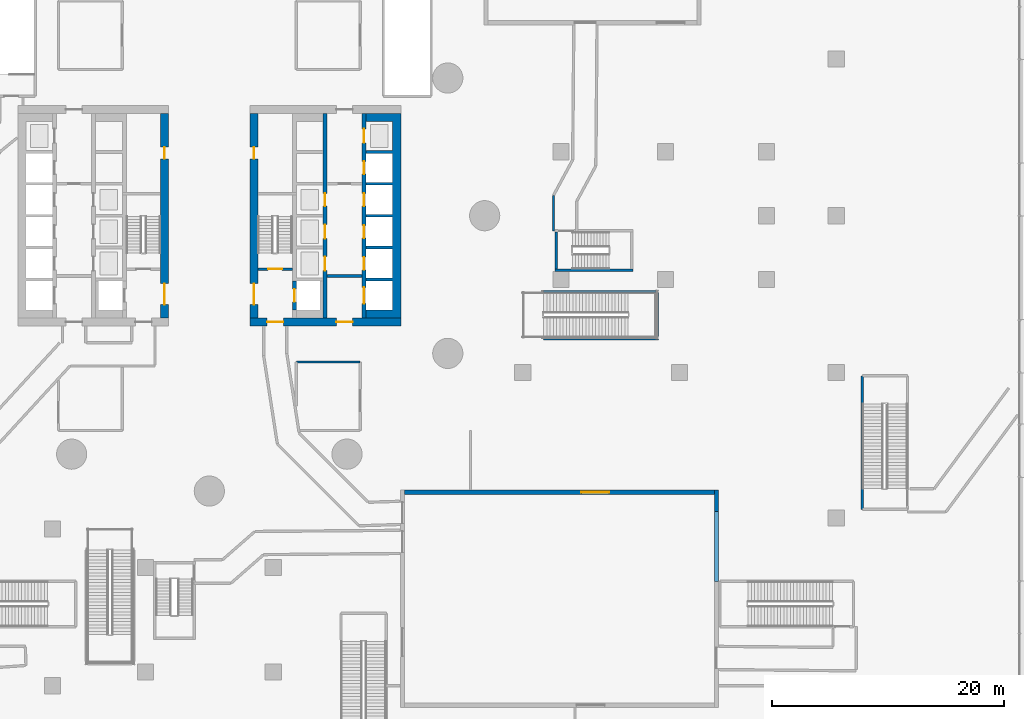
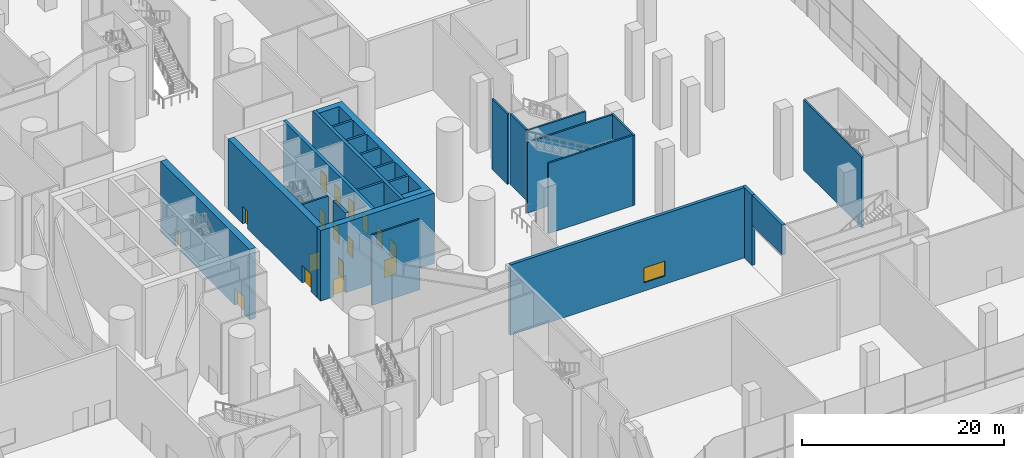
# One storey, part 25 of 54: 20 walls, 17 doors, 1 window, 18 openings.
"""IFC4 building model written with IfcOpenShell, lengths in metres."""

from ifc_helpers import new_model, si_unit, direction, frame, frame_2d, origin, place, context, subcontext, project, spatial, polyline, rectangle, outline, extrude, material, layer, layer_set, type_object, element, fill, save


model = new_model("IFC4")

# Units and contexts
model_context = context("Model", 3, precision=1e-05, world=origin(), true_north=direction((0.0, 1.0)))
body_context = subcontext(model_context, "Body", "Model", "MODEL_VIEW")
ifc_project = project(units=[si_unit("LENGTHUNIT", "METRE"), si_unit("AREAUNIT", "SQUARE_METRE"), si_unit("VOLUMEUNIT", "CUBIC_METRE"), si_unit("PLANEANGLEUNIT", "RADIAN"), si_unit("MASSUNIT", "GRAM", prefix="KILO")], contexts=[model_context])

# Site, building, storey
site_placement = place(None, origin())
site = spatial("IfcSite", under=ifc_project, at=site_placement, CompositionType="ELEMENT")
building_placement = place(site_placement, origin())
building = spatial("IfcBuilding", under=site, at=building_placement, Name="Tamarind Cross Interchange Tower", CompositionType="ELEMENT")
storey_placement = place(building_placement, origin())
storey = spatial("IfcBuildingStorey", under=building, at=storey_placement, Name="L00", CompositionType="ELEMENT", Elevation=0.0)

# Wall, openings, doors
ifc_material_1 = material(Name="Concrete C80", Category="concrete")
ifc_layer_1 = layer(ifc_material_1, 0.699951171875)
ifc_layer_set_1 = layer_set([ifc_layer_1], Name="Concrete C80")
wall_type_1 = type_object("IfcWallType", Name="Core wall 700 mm Concrete C80", PredefinedType="SHEAR", material=ifc_layer_set_1)
wall_1_placement = place(storey_placement, frame((-3.85009765625, -8.800048828125, 0.0), z_axis=(0.0, 0.0, 1.0), x_axis=(0.0, 1.0, 0.0)))
wall_1 = element("IfcWall", 1, at=wall_1_placement, inside=storey, type_object=wall_type_1, Name="Core wall CWL-L00-W-IN", PredefinedType="SHEAR", context=body_context, shape_type="SweptSolid", body=[
    extrude(rectangle(XDim=17.60009765625, YDim=0.699951171875, at=frame_2d((8.800048828125, 0.0))), origin(), (0.0, 0.0, 1.0), 8.5),
])
opening_1_placement = place(wall_1_placement, frame((1.14990234375, 0.0, 0.0)))
opening_1 = element("IfcOpeningElement", 2, at=opening_1_placement, cuts=wall_1, Name="Opening DCW4", PredefinedType="OPENING", context=body_context, shape_type="SweptSolid", body=[
    extrude(rectangle(XDim=1.800048828125, YDim=2.10009765625, at=frame_2d((0.89990234375, 1.050048828125))), frame((0.0, 0.35986328125, 0.0), z_axis=(0.0, -1.0, 0.0), x_axis=(1.0, 0.0, 0.0)), (0.0, 0.0, 1.0), 0.719970703125),
])
opening_2_placement = place(wall_1_placement, frame((13.699951171875, 0.0, 0.0)))
opening_2 = element("IfcOpeningElement", 3, at=opening_2_placement, cuts=wall_1, Name="Opening DCW5", PredefinedType="OPENING", context=body_context, shape_type="SweptSolid", body=[
    extrude(rectangle(XDim=1.0, YDim=2.10009765625, at=frame_2d((0.5, 1.050048828125))), frame((0.0, 0.35986328125, 0.0), z_axis=(0.0, -1.0, 0.0), x_axis=(1.0, 0.0, 0.0)), (0.0, 0.0, 1.0), 0.719970703125),
])
ifc_material_2 = material(Name="Steel, fire-resisting", Category="steel")
door_type_1 = type_object("IfcDoorType", Name="Core fire door 1000 x 2100 FD90", OperationType="SINGLE_SWING_LEFT", PredefinedType="DOOR", material=ifc_material_2)
door_1_placement = place(opening_2_placement, origin())
door_1 = element("IfcDoor", 4, at=door_1_placement, inside=storey, type_object=door_type_1, Name="L00 riser room door", OperationType="SINGLE_SWING_LEFT", OverallHeight=2.10009765625, OverallWidth=1.0, PredefinedType="DOOR", context=body_context, shape_type="SweptSolid", body=[
    extrude(rectangle(XDim=1.0, YDim=2.10009765625, at=frame_2d((0.5, 1.050048828125))), frame((0.0, 0.02490234375, 0.0), z_axis=(0.0, -1.0, 0.0), x_axis=(1.0, 0.0, 0.0)), (0.0, 0.0, 1.0), 0.050048828125),
])
fill(opening_2, door_1)
door_type_2 = type_object("IfcDoorType", Name="Core fire door 1800 x 2100 FD90", OperationType="SINGLE_SWING_LEFT", PredefinedType="DOOR", material=ifc_material_2)
door_2_placement = place(opening_1_placement, origin())
door_2 = element("IfcDoor", 5, at=door_2_placement, inside=storey, type_object=door_type_2, Name="L00 firefighting lobby door", OperationType="SINGLE_SWING_LEFT", OverallHeight=2.10009765625, OverallWidth=1.800048828125, PredefinedType="DOOR", context=body_context, shape_type="SweptSolid", body=[
    extrude(rectangle(XDim=1.800048828125, YDim=2.10009765625, at=frame_2d((0.89990234375, 1.050048828125))), frame((0.0, 0.02490234375, 0.0), z_axis=(0.0, -1.0, 0.0), x_axis=(1.0, 0.0, 0.0)), (0.0, 0.0, 1.0), 0.050048828125),
])
fill(opening_1, door_2)

wall_2_placement = place(storey_placement, frame((16.5, -9.14990234375, 0.0), z_axis=(0.0, 0.0, 1.0), x_axis=(-1.0, 0.0, 0.0)))
wall_2 = element("IfcWall", 6, at=wall_2_placement, inside=storey, type_object=wall_type_1, Name="Core wall CWL-L00-E-S", PredefinedType="SHEAR", context=body_context, shape_type="SweptSolid", body=[
    extrude(rectangle(XDim=13.0, YDim=0.699951171875, at=frame_2d((6.5, 0.0))), origin(), (0.0, 0.0, 1.0), 8.5),
])
opening_3_placement = place(wall_2_placement, frame((4.14990234375, 0.0, 0.0)))
opening_3 = element("IfcOpeningElement", 7, at=opening_3_placement, cuts=wall_2, Name="Opening DCE1", PredefinedType="OPENING", context=body_context, shape_type="SweptSolid", body=[
    extrude(rectangle(XDim=1.39990234375, YDim=2.10009765625, at=frame_2d((0.699951171875, 1.050048828125))), frame((0.0, 0.35986328125, 0.0), z_axis=(0.0, -1.0, 0.0), x_axis=(1.0, 0.0, 0.0)), (0.0, 0.0, 1.0), 0.719970703125),
])
opening_4_placement = place(wall_2_placement, frame((10.125, 0.0, 0.0)))
opening_4 = element("IfcOpeningElement", 8, at=opening_4_placement, cuts=wall_2, Name="Opening DCEF", PredefinedType="OPENING", context=body_context, shape_type="SweptSolid", body=[
    extrude(rectangle(XDim=1.39990234375, YDim=2.10009765625, at=frame_2d((0.699951171875, 1.050048828125))), frame((0.0, 0.35986328125, 0.0), z_axis=(0.0, -1.0, 0.0), x_axis=(1.0, 0.0, 0.0)), (0.0, 0.0, 1.0), 0.719970703125),
])
door_type_3 = type_object("IfcDoorType", Name="Core fire door 1400 x 2100 FD90", OperationType="SINGLE_SWING_LEFT", PredefinedType="DOOR", material=ifc_material_2)
door_3_placement = place(opening_3_placement, origin())
door_3 = element("IfcDoor", 9, at=door_3_placement, inside=storey, type_object=door_type_3, Name="L00 lift lobby door", OperationType="SINGLE_SWING_LEFT", OverallHeight=2.10009765625, OverallWidth=1.39990234375, PredefinedType="DOOR", context=body_context, shape_type="SweptSolid", body=[
    extrude(rectangle(XDim=1.39990234375, YDim=2.10009765625, at=frame_2d((0.699951171875, 1.050048828125))), frame((0.0, 0.02490234375, 0.0), z_axis=(0.0, -1.0, 0.0), x_axis=(1.0, 0.0, 0.0)), (0.0, 0.0, 1.0), 0.050048828125),
])
fill(opening_3, door_3)
door_4_placement = place(opening_4_placement, origin())
door_4 = element("IfcDoor", 10, at=door_4_placement, inside=storey, type_object=door_type_3, Name="L00 firefighting lobby end door", OperationType="SINGLE_SWING_LEFT", OverallHeight=2.10009765625, OverallWidth=1.39990234375, PredefinedType="DOOR", context=body_context, shape_type="SweptSolid", body=[
    extrude(rectangle(XDim=1.39990234375, YDim=2.10009765625, at=frame_2d((0.699951171875, 1.050048828125))), frame((0.0, 0.02490234375, 0.0), z_axis=(0.0, -1.0, 0.0), x_axis=(1.0, 0.0, 0.0)), (0.0, 0.0, 1.0), 0.050048828125),
])
fill(opening_4, door_4)

# Wall
wall_3_placement = place(storey_placement, origin())
element("IfcWall", 11, at=wall_3_placement, inside=storey, type_object=wall_type_1, Name="Core wall CWL-L00-E-A", PredefinedType="SHEAR", context=body_context, shape_type="SweptSolid", body=[
    extrude(outline(polyline([(13.5, -8.800048828125), (15.800048828125, -8.800048828125), (16.5, -8.800048828125), (16.5, 8.800048828125), (15.800048828125, 8.800048828125), (13.5, 8.800048828125), (13.5, 8.125), (15.800048828125, 8.125), (15.800048828125, 5.625), (13.5, 5.625), (13.5, 5.375), (15.800048828125, 5.375), (15.800048828125, 2.875), (13.5, 2.875), (13.5, 2.625), (15.800048828125, 2.625), (15.800048828125, 0.125), (13.5, 0.125), (13.5, -0.125), (15.800048828125, -0.125), (15.800048828125, -2.625), (13.5, -2.625), (13.5, -2.875), (15.800048828125, -2.875), (15.800048828125, -5.375), (13.5, -5.375), (13.5, -5.625), (15.800048828125, -5.625), (15.800048828125, -8.125), (13.5, -8.125), (13.5, -8.800048828125)])), origin(), (0.0, 0.0, 1.0), 8.5),
])

# Wall, openings, doors
wall_4_placement = place(storey_placement, frame((3.85009765625, -8.800048828125, 0.0), z_axis=(0.0, 0.0, 1.0), x_axis=(0.0, 1.0, 0.0)))
wall_4 = element("IfcWall", 12, at=wall_4_placement, inside=storey, type_object=wall_type_1, Name="Core wall CWL-L00-E-IN", PredefinedType="SHEAR", context=body_context, shape_type="SweptSolid", body=[
    extrude(rectangle(XDim=17.60009765625, YDim=0.699951171875, at=frame_2d((8.800048828125, 0.0))), origin(), (0.0, 0.0, 1.0), 8.5),
])
opening_5_placement = place(wall_4_placement, frame((1.14990234375, 0.0, 0.0)))
opening_5 = element("IfcOpeningElement", 13, at=opening_5_placement, cuts=wall_4, Name="Opening DCE4", PredefinedType="OPENING", context=body_context, shape_type="SweptSolid", body=[
    extrude(rectangle(XDim=1.800048828125, YDim=2.10009765625, at=frame_2d((0.89990234375, 1.050048828125))), frame((0.0, 0.35986328125, 0.0), z_axis=(0.0, -1.0, 0.0), x_axis=(1.0, 0.0, 0.0)), (0.0, 0.0, 1.0), 0.719970703125),
])
opening_6_placement = place(wall_4_placement, frame((13.699951171875, 0.0, 0.0)))
opening_6 = element("IfcOpeningElement", 14, at=opening_6_placement, cuts=wall_4, Name="Opening DCE5", PredefinedType="OPENING", context=body_context, shape_type="SweptSolid", body=[
    extrude(rectangle(XDim=1.0, YDim=2.10009765625, at=frame_2d((0.5, 1.050048828125))), frame((0.0, 0.35986328125, 0.0), z_axis=(0.0, -1.0, 0.0), x_axis=(1.0, 0.0, 0.0)), (0.0, 0.0, 1.0), 0.719970703125),
])
door_5_placement = place(opening_6_placement, origin())
door_5 = element("IfcDoor", 15, at=door_5_placement, inside=storey, type_object=door_type_1, Name="L00 riser room door", OperationType="SINGLE_SWING_LEFT", OverallHeight=2.10009765625, OverallWidth=1.0, PredefinedType="DOOR", context=body_context, shape_type="SweptSolid", body=[
    extrude(rectangle(XDim=1.0, YDim=2.10009765625, at=frame_2d((0.5, 1.050048828125))), frame((0.0, 0.02490234375, 0.0), z_axis=(0.0, -1.0, 0.0), x_axis=(1.0, 0.0, 0.0)), (0.0, 0.0, 1.0), 0.050048828125),
])
fill(opening_6, door_5)
door_6_placement = place(opening_5_placement, origin())
door_6 = element("IfcDoor", 16, at=door_6_placement, inside=storey, type_object=door_type_2, Name="L00 firefighting lobby door", OperationType="SINGLE_SWING_LEFT", OverallHeight=2.10009765625, OverallWidth=1.800048828125, PredefinedType="DOOR", context=body_context, shape_type="SweptSolid", body=[
    extrude(rectangle(XDim=1.800048828125, YDim=2.10009765625, at=frame_2d((0.89990234375, 1.050048828125))), frame((0.0, 0.02490234375, 0.0), z_axis=(0.0, -1.0, 0.0), x_axis=(1.0, 0.0, 0.0)), (0.0, 0.0, 1.0), 0.050048828125),
])
fill(opening_5, door_6)

ifc_layer_2 = layer(ifc_material_1, 0.35009765625)
ifc_layer_set_2 = layer_set([ifc_layer_2], Name="Concrete C80")
wall_type_2 = type_object("IfcWallType", Name="Core web wall 350 mm Concrete C80", PredefinedType="SHEAR", material=ifc_layer_set_2)
wall_5_placement = place(storey_placement, frame((13.324951171875, -8.800048828125, 0.0), z_axis=(0.0, 0.0, 1.0), x_axis=(0.0, 1.0, 0.0)))
wall_5 = element("IfcWall", 17, at=wall_5_placement, inside=storey, type_object=wall_type_2, Name="Core wall CWL-L00-E-LA", PredefinedType="SHEAR", context=body_context, shape_type="SweptSolid", body=[
    extrude(rectangle(XDim=17.60009765625, YDim=0.35009765625, at=frame_2d((8.800048828125, 0.0))), origin(), (0.0, 0.0, 1.0), 8.5),
])
opening_7_placement = place(wall_5_placement, frame((1.22509765625, 0.0, 0.0)))
opening_7 = element("IfcOpeningElement", 18, at=opening_7_placement, cuts=wall_5, Name="Opening LD13L00", PredefinedType="OPENING", context=body_context, shape_type="SweptSolid", body=[
    extrude(rectangle(XDim=1.39990234375, YDim=2.10009765625, at=frame_2d((0.699951171875, 1.050048828125))), frame((0.0, 0.18505859375, 0.0), z_axis=(0.0, -1.0, 0.0), x_axis=(1.0, 0.0, 0.0)), (0.0, 0.0, 1.0), 0.3701171875),
])
opening_8_placement = place(wall_5_placement, frame((4.125, 0.0, 0.0)))
opening_8 = element("IfcOpeningElement", 19, at=opening_8_placement, cuts=wall_5, Name="Opening LD14L00", PredefinedType="OPENING", context=body_context, shape_type="SweptSolid", body=[
    extrude(rectangle(XDim=1.10009765625, YDim=2.10009765625, at=frame_2d((0.550048828125, 1.050048828125))), frame((0.0, 0.18505859375, 0.0), z_axis=(0.0, -1.0, 0.0), x_axis=(1.0, 0.0, 0.0)), (0.0, 0.0, 1.0), 0.3701171875),
])
opening_9_placement = place(wall_5_placement, frame((6.875, 0.0, 0.0)))
opening_9 = element("IfcOpeningElement", 20, at=opening_9_placement, cuts=wall_5, Name="Opening LD15L00", PredefinedType="OPENING", context=body_context, shape_type="SweptSolid", body=[
    extrude(rectangle(XDim=1.10009765625, YDim=2.10009765625, at=frame_2d((0.550048828125, 1.050048828125))), frame((0.0, 0.18505859375, 0.0), z_axis=(0.0, -1.0, 0.0), x_axis=(1.0, 0.0, 0.0)), (0.0, 0.0, 1.0), 0.3701171875),
])
opening_10_placement = place(wall_5_placement, frame((9.625, 0.0, 0.0)))
opening_10 = element("IfcOpeningElement", 21, at=opening_10_placement, cuts=wall_5, Name="Opening LD16L00", PredefinedType="OPENING", context=body_context, shape_type="SweptSolid", body=[
    extrude(rectangle(XDim=1.10009765625, YDim=2.10009765625, at=frame_2d((0.550048828125, 1.050048828125))), frame((0.0, 0.18505859375, 0.0), z_axis=(0.0, -1.0, 0.0), x_axis=(1.0, 0.0, 0.0)), (0.0, 0.0, 1.0), 0.3701171875),
])
opening_11_placement = place(wall_5_placement, frame((12.375, 0.0, 0.0)))
opening_11 = element("IfcOpeningElement", 22, at=opening_11_placement, cuts=wall_5, Name="Opening LD17L00", PredefinedType="OPENING", context=body_context, shape_type="SweptSolid", body=[
    extrude(rectangle(XDim=1.10009765625, YDim=2.10009765625, at=frame_2d((0.550048828125, 1.050048828125))), frame((0.0, 0.18505859375, 0.0), z_axis=(0.0, -1.0, 0.0), x_axis=(1.0, 0.0, 0.0)), (0.0, 0.0, 1.0), 0.3701171875),
])
opening_12_placement = place(wall_5_placement, frame((15.074951171875, 0.0, 0.0)))
opening_12 = element("IfcOpeningElement", 23, at=opening_12_placement, cuts=wall_5, Name="Opening LD18L00", PredefinedType="OPENING", context=body_context, shape_type="SweptSolid", body=[
    extrude(rectangle(XDim=1.199951171875, YDim=2.10009765625, at=frame_2d((0.60009765625, 1.050048828125))), frame((0.0, 0.18505859375, 0.0), z_axis=(0.0, -1.0, 0.0), x_axis=(1.0, 0.0, 0.0)), (0.0, 0.0, 1.0), 0.3701171875),
])
ifc_material_3 = material(Name="Stainless steel panel", Category="steel")
door_type_4 = type_object("IfcDoorType", Name="Lift landing door 1100 x 2100 E 120", OperationType="SLIDING_TO_LEFT", PredefinedType="DOOR", material=ifc_material_3)
door_7_placement = place(opening_8_placement, origin())
door_7 = element("IfcDoor", 24, at=door_7_placement, inside=storey, type_object=door_type_4, Name="L00 landing door LF14", OperationType="SLIDING_TO_LEFT", OverallHeight=2.10009765625, OverallWidth=1.10009765625, PredefinedType="DOOR", context=body_context, shape_type="SweptSolid", body=[
    extrude(rectangle(XDim=1.10009765625, YDim=2.10009765625, at=frame_2d((0.550048828125, 1.050048828125))), frame((0.0, 0.02490234375, 0.0), z_axis=(0.0, -1.0, 0.0), x_axis=(1.0, 0.0, 0.0)), (0.0, 0.0, 1.0), 0.050048828125),
])
fill(opening_8, door_7)
door_8_placement = place(opening_9_placement, origin())
door_8 = element("IfcDoor", 25, at=door_8_placement, inside=storey, type_object=door_type_4, Name="L00 landing door LF15", OperationType="SLIDING_TO_LEFT", OverallHeight=2.10009765625, OverallWidth=1.10009765625, PredefinedType="DOOR", context=body_context, shape_type="SweptSolid", body=[
    extrude(rectangle(XDim=1.10009765625, YDim=2.10009765625, at=frame_2d((0.550048828125, 1.050048828125))), frame((0.0, 0.02490234375, 0.0), z_axis=(0.0, -1.0, 0.0), x_axis=(1.0, 0.0, 0.0)), (0.0, 0.0, 1.0), 0.050048828125),
])
fill(opening_9, door_8)
door_9_placement = place(opening_10_placement, origin())
door_9 = element("IfcDoor", 26, at=door_9_placement, inside=storey, type_object=door_type_4, Name="L00 landing door LF16", OperationType="SLIDING_TO_LEFT", OverallHeight=2.10009765625, OverallWidth=1.10009765625, PredefinedType="DOOR", context=body_context, shape_type="SweptSolid", body=[
    extrude(rectangle(XDim=1.10009765625, YDim=2.10009765625, at=frame_2d((0.550048828125, 1.050048828125))), frame((0.0, 0.02490234375, 0.0), z_axis=(0.0, -1.0, 0.0), x_axis=(1.0, 0.0, 0.0)), (0.0, 0.0, 1.0), 0.050048828125),
])
fill(opening_10, door_9)
door_10_placement = place(opening_11_placement, origin())
door_10 = element("IfcDoor", 27, at=door_10_placement, inside=storey, type_object=door_type_4, Name="L00 landing door LF17", OperationType="SLIDING_TO_LEFT", OverallHeight=2.10009765625, OverallWidth=1.10009765625, PredefinedType="DOOR", context=body_context, shape_type="SweptSolid", body=[
    extrude(rectangle(XDim=1.10009765625, YDim=2.10009765625, at=frame_2d((0.550048828125, 1.050048828125))), frame((0.0, 0.02490234375, 0.0), z_axis=(0.0, -1.0, 0.0), x_axis=(1.0, 0.0, 0.0)), (0.0, 0.0, 1.0), 0.050048828125),
])
fill(opening_11, door_10)
door_type_5 = type_object("IfcDoorType", Name="Lift landing door 1200 x 2100 E 120", OperationType="SLIDING_TO_LEFT", PredefinedType="DOOR", material=ifc_material_3)
door_11_placement = place(opening_12_placement, origin())
door_11 = element("IfcDoor", 28, at=door_11_placement, inside=storey, type_object=door_type_5, Name="L00 landing door LF18", OperationType="SLIDING_TO_LEFT", OverallHeight=2.10009765625, OverallWidth=1.199951171875, PredefinedType="DOOR", context=body_context, shape_type="SweptSolid", body=[
    extrude(rectangle(XDim=1.199951171875, YDim=2.10009765625, at=frame_2d((0.60009765625, 1.050048828125))), frame((0.0, 0.02490234375, 0.0), z_axis=(0.0, -1.0, 0.0), x_axis=(1.0, 0.0, 0.0)), (0.0, 0.0, 1.0), 0.050048828125),
])
fill(opening_12, door_11)
door_type_6 = type_object("IfcDoorType", Name="Lift landing door 1400 x 2100 E 120", OperationType="SLIDING_TO_LEFT", PredefinedType="DOOR", material=ifc_material_3)
door_12_placement = place(opening_7_placement, origin())
door_12 = element("IfcDoor", 29, at=door_12_placement, inside=storey, type_object=door_type_6, Name="L00 landing door LF13", OperationType="SLIDING_TO_LEFT", OverallHeight=2.10009765625, OverallWidth=1.39990234375, PredefinedType="DOOR", context=body_context, shape_type="SweptSolid", body=[
    extrude(rectangle(XDim=1.39990234375, YDim=2.10009765625, at=frame_2d((0.699951171875, 1.050048828125))), frame((0.0, 0.02490234375, 0.0), z_axis=(0.0, -1.0, 0.0), x_axis=(1.0, 0.0, 0.0)), (0.0, 0.0, 1.0), 0.050048828125),
])
fill(opening_7, door_12)

wall_6_placement = place(storey_placement, frame((9.97509765625, -8.800048828125, 0.0), z_axis=(0.0, 0.0, 1.0), x_axis=(0.0, 1.0, 0.0)))
wall_6 = element("IfcWall", 30, at=wall_6_placement, inside=storey, type_object=wall_type_2, Name="Core wall CWL-L00-E-LB", PredefinedType="SHEAR", context=body_context, shape_type="SweptSolid", body=[
    extrude(rectangle(XDim=17.60009765625, YDim=0.35009765625, at=frame_2d((8.800048828125, 0.0))), origin(), (0.0, 0.0, 1.0), 8.5),
])
opening_13_placement = place(wall_6_placement, frame((4.074951171875, 0.0, 0.0)))
opening_13 = element("IfcOpeningElement", 31, at=opening_13_placement, cuts=wall_6, Name="Opening LD20L00", PredefinedType="OPENING", context=body_context, shape_type="SweptSolid", body=[
    extrude(rectangle(XDim=1.199951171875, YDim=2.10009765625, at=frame_2d((0.60009765625, 1.050048828125))), frame((0.0, 0.18505859375, 0.0), z_axis=(0.0, -1.0, 0.0), x_axis=(1.0, 0.0, 0.0)), (0.0, 0.0, 1.0), 0.3701171875),
])
opening_14_placement = place(wall_6_placement, frame((6.824951171875, 0.0, 0.0)))
opening_14 = element("IfcOpeningElement", 32, at=opening_14_placement, cuts=wall_6, Name="Opening LD21L00", PredefinedType="OPENING", context=body_context, shape_type="SweptSolid", body=[
    extrude(rectangle(XDim=1.199951171875, YDim=2.10009765625, at=frame_2d((0.60009765625, 1.050048828125))), frame((0.0, 0.18505859375, 0.0), z_axis=(0.0, -1.0, 0.0), x_axis=(1.0, 0.0, 0.0)), (0.0, 0.0, 1.0), 0.3701171875),
])
opening_15_placement = place(wall_6_placement, frame((9.625, 0.0, 0.0)))
opening_15 = element("IfcOpeningElement", 33, at=opening_15_placement, cuts=wall_6, Name="Opening LD22L00", PredefinedType="OPENING", context=body_context, shape_type="SweptSolid", body=[
    extrude(rectangle(XDim=1.10009765625, YDim=2.10009765625, at=frame_2d((0.550048828125, 1.050048828125))), frame((0.0, 0.18505859375, 0.0), z_axis=(0.0, -1.0, 0.0), x_axis=(1.0, 0.0, 0.0)), (0.0, 0.0, 1.0), 0.3701171875),
])
door_13_placement = place(opening_15_placement, origin())
door_13 = element("IfcDoor", 34, at=door_13_placement, inside=storey, type_object=door_type_4, Name="L00 landing door LF22", OperationType="SLIDING_TO_LEFT", OverallHeight=2.10009765625, OverallWidth=1.10009765625, PredefinedType="DOOR", context=body_context, shape_type="SweptSolid", body=[
    extrude(rectangle(XDim=1.10009765625, YDim=2.10009765625, at=frame_2d((0.550048828125, 1.050048828125))), frame((0.0, 0.02490234375, 0.0), z_axis=(0.0, -1.0, 0.0), x_axis=(1.0, 0.0, 0.0)), (0.0, 0.0, 1.0), 0.050048828125),
])
fill(opening_15, door_13)
door_14_placement = place(opening_13_placement, origin())
door_14 = element("IfcDoor", 35, at=door_14_placement, inside=storey, type_object=door_type_5, Name="L00 landing door LF20", OperationType="SLIDING_TO_LEFT", OverallHeight=2.10009765625, OverallWidth=1.199951171875, PredefinedType="DOOR", context=body_context, shape_type="SweptSolid", body=[
    extrude(rectangle(XDim=1.199951171875, YDim=2.10009765625, at=frame_2d((0.60009765625, 1.050048828125))), frame((0.0, 0.02490234375, 0.0), z_axis=(0.0, -1.0, 0.0), x_axis=(1.0, 0.0, 0.0)), (0.0, 0.0, 1.0), 0.050048828125),
])
fill(opening_13, door_14)
door_15_placement = place(opening_14_placement, origin())
door_15 = element("IfcDoor", 36, at=door_15_placement, inside=storey, type_object=door_type_5, Name="L00 landing door LF21", OperationType="SLIDING_TO_LEFT", OverallHeight=2.10009765625, OverallWidth=1.199951171875, PredefinedType="DOOR", context=body_context, shape_type="SweptSolid", body=[
    extrude(rectangle(XDim=1.199951171875, YDim=2.10009765625, at=frame_2d((0.60009765625, 1.050048828125))), frame((0.0, 0.02490234375, 0.0), z_axis=(0.0, -1.0, 0.0), x_axis=(1.0, 0.0, 0.0)), (0.0, 0.0, 1.0), 0.050048828125),
])
fill(opening_14, door_15)

# Wall, opening, door
wall_7_placement = place(storey_placement, frame((7.324951171875, -8.125, 0.0), z_axis=(0.0, 0.0, 1.0), x_axis=(0.0, 1.0, 0.0)))
wall_7 = element("IfcWall", 37, at=wall_7_placement, inside=storey, type_object=wall_type_2, Name="Core wall CWL-L00-E-FF", PredefinedType="SHEAR", context=body_context, shape_type="SweptSolid", body=[
    extrude(rectangle(XDim=2.5, YDim=0.35009765625, at=frame_2d((1.25, 0.0))), origin(), (0.0, 0.0, 1.0), 8.5),
])
opening_16_placement = place(wall_7_placement, frame((0.699951171875, 0.0, 0.0)))
opening_16 = element("IfcOpeningElement", 38, at=opening_16_placement, cuts=wall_7, Name="Opening LD19L00", PredefinedType="OPENING", context=body_context, shape_type="SweptSolid", body=[
    extrude(rectangle(XDim=1.10009765625, YDim=2.10009765625, at=frame_2d((0.550048828125, 1.050048828125))), frame((0.0, 0.18505859375, 0.0), z_axis=(0.0, -1.0, 0.0), x_axis=(1.0, 0.0, 0.0)), (0.0, 0.0, 1.0), 0.3701171875),
])
door_16_placement = place(opening_16_placement, origin())
door_16 = element("IfcDoor", 39, at=door_16_placement, inside=storey, type_object=door_type_4, Name="L00 landing door LF19", OperationType="SLIDING_TO_LEFT", OverallHeight=2.10009765625, OverallWidth=1.10009765625, PredefinedType="DOOR", context=body_context, shape_type="SweptSolid", body=[
    extrude(rectangle(XDim=1.10009765625, YDim=2.10009765625, at=frame_2d((0.550048828125, 1.050048828125))), frame((0.0, 0.02490234375, 0.0), z_axis=(0.0, -1.0, 0.0), x_axis=(1.0, 0.0, 0.0)), (0.0, 0.0, 1.0), 0.050048828125),
])
fill(opening_16, door_16)

# Walls
ifc_material_4 = material(Name="Precast concrete C40", Category="concrete")
ifc_layer_3 = layer(ifc_material_4, 0.35009765625)
ifc_layer_set_3 = layer_set([ifc_layer_3], Name="Precast concrete C40")
wall_type_3 = type_object("IfcWallType", Name="Court portal pier wall", PredefinedType="SOLIDWALL", material=ifc_layer_set_3)
wall_8_placement = place(storey_placement, frame((43.675048828125, -25.5, 0.0), z_axis=(0.0, 0.0, 1.0), x_axis=(0.0, 1.0, 0.0)))
element("IfcWall", 40, at=wall_8_placement, inside=storey, type_object=wall_type_3, Name="CTW-L00-SEE01", PredefinedType="SOLIDWALL", context=body_context, shape_type="SweptSolid", body=[
    extrude(rectangle(XDim=1.85009765625, YDim=0.35009765625, at=frame_2d((0.925048828125, 0.0))), origin(), (0.0, 0.0, 1.0), 8.5),
])
ifc_material_5 = material(Name="Masonry partition, fire-rated", Category="masonry")
ifc_layer_4 = layer(ifc_material_5, 0.199951171875)
ifc_layer_set_4 = layer_set([ifc_layer_4], Name="Masonry partition, fire-rated")
wall_type_4 = type_object("IfcWallType", Name="Fire partition 200 EI 90", PredefinedType="PARTITIONING", material=ifc_layer_set_4)
wall_9_placement = place(storey_placement, frame((7.5, -12.60009765625, 0.0), z_axis=(0.0, 0.0, 1.0), x_axis=(1.0, 0.0, 0.0)))
element("IfcWall", 41, at=wall_9_placement, inside=storey, type_object=wall_type_4, Name="L00 partition 117", PredefinedType="PARTITIONING", context=body_context, shape_type="SweptSolid", body=[
    extrude(rectangle(XDim=5.5, YDim=0.199951171875, at=frame_2d((2.75, 0.0))), origin(), (0.0, 0.0, 1.0), 8.5),
])

# Wall, opening, window
ifc_layer_5 = layer(ifc_material_4, 0.35009765625)
ifc_layer_set_5 = layer_set([ifc_layer_5], Name="Precast concrete C40")
wall_type_5 = type_object("IfcWallType", Name="Podium facade wall", PredefinedType="SOLIDWALL", material=ifc_layer_set_5)
wall_10_placement = place(storey_placement, frame((16.800048828125, -23.824951171875, 0.0), z_axis=(0.0, 0.0, 1.0), x_axis=(1.0, 0.0, 0.0)))
wall_10 = element("IfcWall", 42, at=wall_10_placement, inside=storey, type_object=wall_type_5, Name="CTW-L00-SEN00", PredefinedType="SOLIDWALL", context=body_context, shape_type="SweptSolid", body=[
    extrude(rectangle(XDim=26.699951171875, YDim=0.35009765625, at=frame_2d((13.35009765625, 0.0))), origin(), (0.0, 0.0, 1.0), 8.5),
])
opening_17_placement = place(wall_10_placement, frame((15.25, 0.0, 1.0)))
opening_17 = element("IfcOpeningElement", 43, at=opening_17_placement, cuts=wall_10, Name="Opening W4", PredefinedType="OPENING", context=body_context, shape_type="SweptSolid", body=[
    extrude(rectangle(XDim=2.39990234375, YDim=1.800048828125, at=frame_2d((1.199951171875, 0.89990234375))), frame((0.0, 0.18505859375, 0.0), z_axis=(0.0, -1.0, 0.0), x_axis=(1.0, 0.0, 0.0)), (0.0, 0.0, 1.0), 0.3701171875),
])
ifc_material_6 = material(Name="Aluminium and toughened glass", Category="aluminium")
window_type = type_object("IfcWindowType", Name="Podium daylight window", PartitioningType="SINGLE_PANEL", PredefinedType="WINDOW", material=ifc_material_6)
window_placement = place(opening_17_placement, origin())
window = element("IfcWindow", 44, at=window_placement, inside=storey, type_object=window_type, Name="CTX-L00-SEN-01-00", OverallHeight=1.800048828125, OverallWidth=2.39990234375, PartitioningType="SINGLE_PANEL", PredefinedType="WINDOW", context=body_context, shape_type="SweptSolid", body=[
    extrude(rectangle(XDim=2.39990234375, YDim=1.800048828125, at=frame_2d((1.199951171875, 0.89990234375))), frame((0.0, 0.030029296875, 0.0), z_axis=(0.0, -1.0, 0.0), x_axis=(1.0, 0.0, 0.0)), (0.0, 0.0, 1.0), 0.06005859375),
])
fill(opening_17, window)

# Walls
wall_11_placement = place(storey_placement, frame((43.675048828125, -31.5, 4.89990234375), z_axis=(0.0, 0.0, 1.0), x_axis=(0.0, 1.0, 0.0)))
element("IfcWall", 45, at=wall_11_placement, inside=storey, type_object=wall_type_5, Name="CTW-L00-SEE02", PredefinedType="SOLIDWALL", context=body_context, shape_type="SweptSolid", body=[
    extrude(rectangle(XDim=6.0, YDim=0.35009765625, at=frame_2d((3.0, 0.0))), origin(), (0.0, 0.0, 1.0), 3.60009765625),
])
ifc_material_7 = material(Name="Concrete C40", Category="concrete")
ifc_layer_6 = layer(ifc_material_7, 0.199951171875)
ifc_layer_set_6 = layer_set([ifc_layer_6], Name="Concrete C40")
wall_type_6 = type_object("IfcWallType", Name="Protected passage wall 200 EI 180", PredefinedType="PARTITIONING", material=ifc_layer_set_6)
wall_12_placement = place(storey_placement, frame((29.64990234375, -1.300048828125, 0.0), z_axis=(0.0, 0.0, 1.0), x_axis=(0.0, 1.0, 0.0)))
element("IfcWall", 46, at=wall_12_placement, inside=storey, type_object=wall_type_6, Name="L00 passage wall 120", PredefinedType="PARTITIONING", context=body_context, shape_type="SweptSolid", body=[
    extrude(rectangle(XDim=3.05322265625, YDim=0.199951171875, at=frame_2d((1.526611328125, 0.0))), origin(), (0.0, 0.0, 1.0), 8.5),
])
ifc_layer_7 = layer(ifc_material_7, 0.25)
ifc_layer_set_7 = layer_set([ifc_layer_7], Name="Concrete C40")
wall_type_7 = type_object("IfcWallType", Name="Shaft and lobby wall 250 mm Concrete C40", PredefinedType="PARTITIONING", material=ifc_layer_set_7)
wall_13_placement = place(storey_placement, frame((13.14990234375, -5.199951171875, 0.0), z_axis=(0.0, 0.0, 1.0), x_axis=(-1.0, 0.0, 0.0)))
element("IfcWall", 47, at=wall_13_placement, inside=storey, type_object=wall_type_7, Name="Shaft wall CWL-L00-E-EVP", PredefinedType="PARTITIONING", context=body_context, shape_type="SweptSolid", body=[
    extrude(rectangle(XDim=3.0, YDim=0.25, at=frame_2d((1.5, 0.0))), origin(), (0.0, 0.0, 1.0), 8.5),
])
ifc_layer_8 = layer(ifc_material_7, 0.199951171875)
ifc_layer_set_8 = layer_set([ifc_layer_8], Name="Concrete C40")
wall_type_8 = type_object("IfcWallType", Name="Stair shaft wall 200", PredefinedType="SOLIDWALL", material=ifc_layer_set_8)
for number, where, z_axis, x_axis, name in (
    (48, (28.800048828125, -10.60009765625, 0.0), (0.0, 0.0, 1.0), (1.0, 0.0, 0.0), "public stair PS-E shaft wall L"),
    (49, (28.800048828125, -6.5, 0.0), (0.0, 0.0, 1.0), (1.0, 0.0, 0.0), "public stair PS-E shaft wall R"),
):
    element("IfcWall", number, at=place(storey_placement, frame(where, z_axis=z_axis, x_axis=x_axis)), inside=storey, type_object=wall_type_8, Name=name, PredefinedType="SOLIDWALL", context=body_context, shape_type="SweptSolid", body=[
        extrude(rectangle(XDim=9.699951171875, YDim=0.199951171875, at=frame_2d((4.85009765625, 0.0))), origin(), (0.0, 0.0, 1.0), 8.5),
    ])
wall_14_placement = place(storey_placement, frame((38.60009765625, -10.699951171875, 0.0), z_axis=(0.0, 0.0, 1.0), x_axis=(0.0, 1.0, 0.0)))
element("IfcWall", 50, at=wall_14_placement, inside=storey, type_object=wall_type_8, Name="public stair PS-E shaft wall F", PredefinedType="SOLIDWALL", context=body_context, shape_type="SweptSolid", body=[
    extrude(rectangle(XDim=4.300048828125, YDim=0.199951171875, at=frame_2d((2.14990234375, 0.0))), origin(), (0.0, 0.0, 1.0), 8.5),
])
ifc_layer_9 = layer(ifc_material_7, 0.199951171875)
ifc_layer_set_9 = layer_set([ifc_layer_9], Name="Concrete C40")
wall_type_9 = type_object("IfcWallType", Name="Stair shaft wall 200 EI 180", PredefinedType="PARTITIONING", material=ifc_layer_set_9)
wall_15_placement = place(storey_placement, frame((56.25, -25.300048828125, 0.0), z_axis=(0.0, 0.0, 1.0), x_axis=(0.0, 1.0, 0.0)))
element("IfcWall", 51, at=wall_15_placement, inside=storey, type_object=wall_type_9, Name="L00 stair shaft wall 49", PredefinedType="PARTITIONING", context=body_context, shape_type="SweptSolid", body=[
    extrude(rectangle(XDim=11.5, YDim=0.199951171875, at=frame_2d((5.75, 0.0))), origin(), (0.0, 0.0, 1.0), 8.5),
])

# Wall, opening, door
ifc_layer_10 = layer(ifc_material_7, 0.199951171875)
ifc_layer_set_10 = layer_set([ifc_layer_10], Name="Concrete C40")
wall_type_10 = type_object("IfcWallType", Name="Stair shaft wall 200 mm Concrete C40", PredefinedType="SHEAR", material=ifc_layer_set_10)
wall_16_placement = place(storey_placement, frame((7.14990234375, -4.60009765625, 0.0), z_axis=(0.0, 0.0, 1.0), x_axis=(-1.0, 0.0, 0.0)))
wall_16 = element("IfcWall", 52, at=wall_16_placement, inside=storey, type_object=wall_type_10, Name="Core wall CWL-L00-E-SD", PredefinedType="SHEAR", context=body_context, shape_type="SweptSolid", body=[
    extrude(rectangle(XDim=2.949951171875, YDim=0.199951171875, at=frame_2d((1.47509765625, 0.0))), origin(), (0.0, 0.0, 1.0), 8.5),
])
opening_18_placement = place(wall_16_placement, frame((0.875, 0.0, 0.0)))
opening_18 = element("IfcOpeningElement", 53, at=opening_18_placement, cuts=wall_16, Name="Opening DCE6G", PredefinedType="OPENING", context=body_context, shape_type="SweptSolid", body=[
    extrude(rectangle(XDim=1.199951171875, YDim=2.10009765625, at=frame_2d((0.60009765625, 1.050048828125))), frame((0.0, 0.10986328125, 0.0), z_axis=(0.0, -1.0, 0.0), x_axis=(1.0, 0.0, 0.0)), (0.0, 0.0, 1.0), 0.219970703125),
])
door_type_7 = type_object("IfcDoorType", Name="Core fire door 1200 x 2100 FD90", OperationType="SINGLE_SWING_LEFT", PredefinedType="DOOR", material=ifc_material_2)
door_17_placement = place(opening_18_placement, origin())
door_17 = element("IfcDoor", 54, at=door_17_placement, inside=storey, type_object=door_type_7, Name="L00 stair door", OperationType="SINGLE_SWING_LEFT", OverallHeight=2.10009765625, OverallWidth=1.199951171875, PredefinedType="DOOR", context=body_context, shape_type="SweptSolid", body=[
    extrude(rectangle(XDim=1.199951171875, YDim=2.10009765625, at=frame_2d((0.60009765625, 1.050048828125))), frame((0.0, 0.02490234375, 0.0), z_axis=(0.0, -1.0, 0.0), x_axis=(1.0, 0.0, 0.0)), (0.0, 0.0, 1.0), 0.050048828125),
])
fill(opening_18, door_17)

# Walls
wall_17_placement = place(storey_placement, frame((29.800048828125, -4.699951171875, 0.0), z_axis=(0.0, 0.0, 1.0), x_axis=(1.0, 0.0, 0.0)))
element("IfcWall", 55, at=wall_17_placement, inside=storey, type_object=wall_type_10, Name="Core wall CWL-L00-ST3-C", PredefinedType="SHEAR", context=body_context, shape_type="SweptSolid", body=[
    extrude(rectangle(XDim=6.699951171875, YDim=0.199951171875, at=frame_2d((3.35009765625, 0.0))), origin(), (0.0, 0.0, 1.0), 8.5),
])
wall_18_placement = place(storey_placement, frame((29.89990234375, -4.60009765625, 0.0), z_axis=(0.0, 0.0, 1.0), x_axis=(0.0, 1.0, 0.0)))
element("IfcWall", 56, at=wall_18_placement, inside=storey, type_object=wall_type_10, Name="Core wall CWL-L00-ST3-CE", PredefinedType="SHEAR", context=body_context, shape_type="SweptSolid", body=[
    extrude(rectangle(XDim=3.2001953125, YDim=0.199951171875, at=frame_2d((1.60009765625, 0.0))), origin(), (0.0, 0.0, 1.0), 8.5),
])

save(model, "model.ifc")
